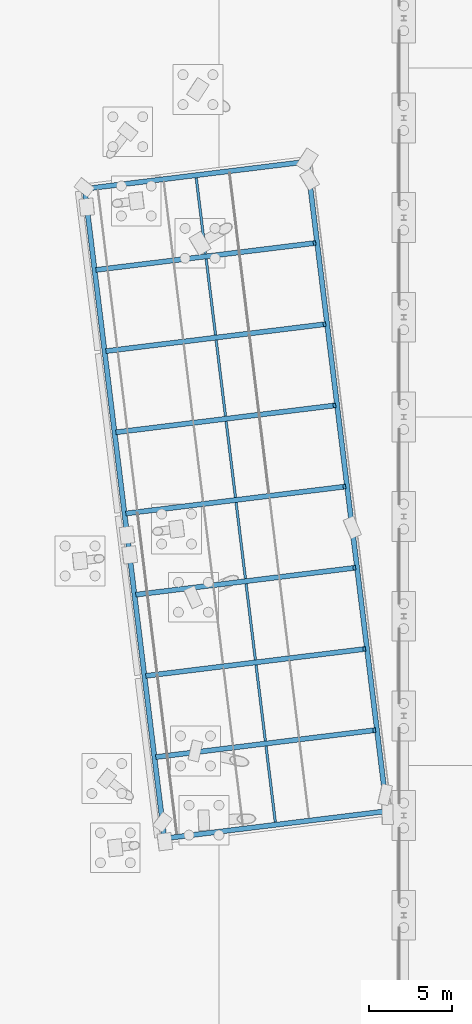
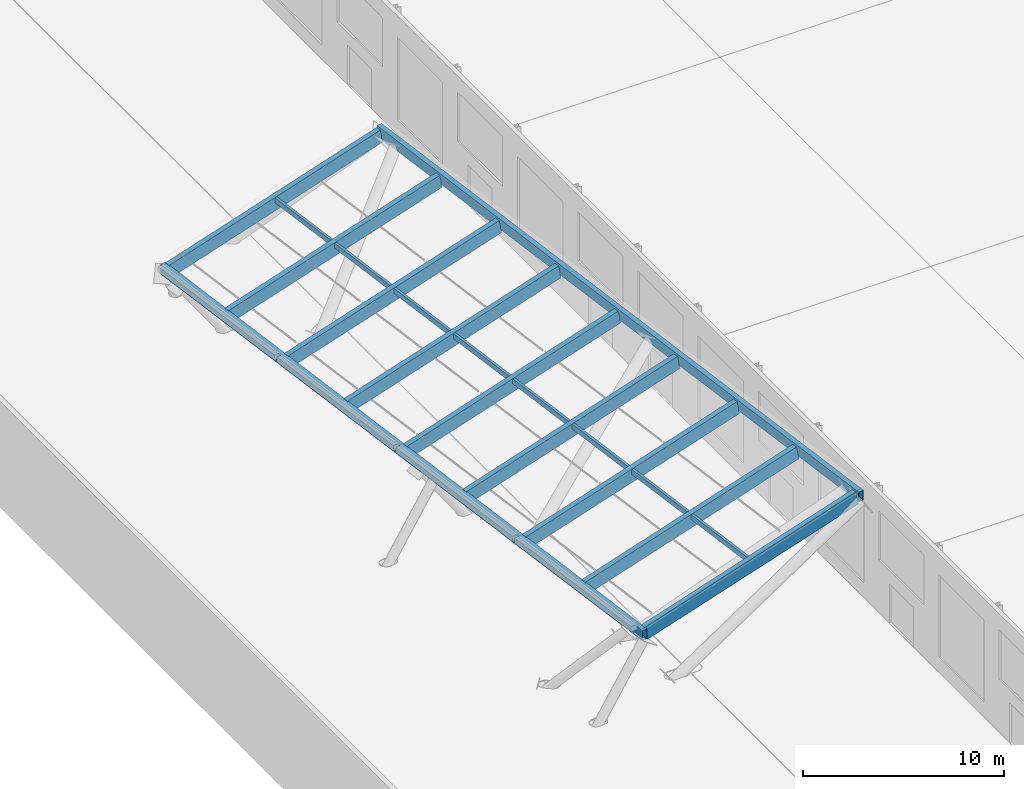
# One storey, part 126 of 239: 19 beams.
"""IFC4 building model written with IfcOpenShell, lengths in metres."""

from ifc_helpers import new_model, si_unit, direction, frame, origin, origin_2d, place, context, subcontext, project, spatial, hollow_rectangle, extrude, material, material_profile, profile_set, type_object, element, save


model = new_model("IFC4")

# Units and contexts
model_context = context("Model", 3, precision=1e-05, world=origin(), true_north=direction((0.0, 1.0)))
body_context = subcontext(model_context, "Body", "Model", "MODEL_VIEW")
ifc_project = project(units=[si_unit("LENGTHUNIT", "METRE"), si_unit("AREAUNIT", "SQUARE_METRE"), si_unit("VOLUMEUNIT", "CUBIC_METRE"), si_unit("PLANEANGLEUNIT", "RADIAN"), si_unit("MASSUNIT", "GRAM", prefix="KILO")], contexts=[model_context])

# Site, building, storey
site_placement = place(None, origin())
site = spatial("IfcSite", under=ifc_project, at=site_placement, CompositionType="ELEMENT")
building_placement = place(site_placement, origin())
building = spatial("IfcBuilding", under=site, at=building_placement, Name="Okhra Congress Centre", CompositionType="ELEMENT")
storey_placement = place(building_placement, origin())
storey = spatial("IfcBuildingStorey", under=building, at=storey_placement, Name="L00", CompositionType="ELEMENT", Elevation=0.0)

# Beams
ifc_material = material(Name="Steel S355J2H", Category="steel")
ifc_material_profile_1 = material_profile(ifc_material, hollow_rectangle(XDim=0.300048828125, YDim=0.60009765625, WallThickness=0.01611328125, at=origin_2d()), Name="RHS 600x300x16")
ifc_profile_set_1 = profile_set([ifc_material_profile_1], Name="Steel S355J2H")
beam_type_1 = type_object("IfcBeamType", Name="Canopy edge beam RHS 600x300x16", PredefinedType="BEAM", material=ifc_profile_set_1)
beam_1_placement = place(storey_placement, frame((14.746337890625, 148.3740234375, 4.070068359375), z_axis=(-0.121868564636, 0.992546247262, 0.0), x_axis=(-0.992546247262, -0.121868564636, 0.0)))
element("IfcBeam", 1, at=beam_1_placement, inside=storey, type_object=beam_type_1, Name="West visor edge beam S", PredefinedType="BEAM", context=body_context, shape_type="SweptSolid", body=[
    extrude(hollow_rectangle(XDim=0.300048828125, YDim=0.60009765625, WallThickness=0.01611328125, at=origin_2d()), origin(), (0.0, 0.0, 1.0), 39.89990234375),
])
beam_2_placement = place(storey_placement, frame((28.145751953125, 150.01904296875, 6.816650390625), z_axis=(-0.121867824507, 0.992546338137, 0.0), x_axis=(-0.992546338137, -0.121867824507, 0.0)))
element("IfcBeam", 2, at=beam_2_placement, inside=storey, type_object=beam_type_1, Name="West visor edge beam N", PredefinedType="BEAM", context=body_context, shape_type="SweptSolid", body=[
    extrude(hollow_rectangle(XDim=0.300048828125, YDim=0.60009765625, WallThickness=0.01611328125, at=origin_2d()), origin(), (0.0, 0.0, 1.0), 39.900146484375),
])
ifc_material_profile_2 = material_profile(ifc_material, hollow_rectangle(XDim=0.300048828125, YDim=0.800048828125, WallThickness=0.02001953125, at=origin_2d()), Name="RHS 800x300x20")
ifc_profile_set_2 = profile_set([ifc_material_profile_2], Name="Steel S355J2H")
beam_type_2 = type_object("IfcBeamType", Name="Canopy primary beam RHS 800x300x20", PredefinedType="BEAM", material=ifc_profile_set_2)
for number, where, z_axis, x_axis, name in (
    (3, (14.874755859375, 148.6416015625, 4.02490234375), (0.972622439007, 0.119420021765, 0.199360100174), (-0.1218663301, 0.992546521624, 0.0), "West visor primary beam 1"),
    (4, (14.2744140625, 153.52978515625, 4.02490234375), (0.972622439007, 0.119420021765, 0.199360100174), (-0.1218663301, 0.992546521624, 0.0), "West visor primary beam 2"),
    (5, (13.67431640625, 158.418212890625, 4.02490234375), (0.972622439007, 0.119420021765, 0.199360100174), (-0.1218663301, 0.992546521624, 0.0), "West visor primary beam 3"),
):
    element("IfcBeam", number, at=place(storey_placement, frame(where, z_axis=z_axis, x_axis=x_axis)), inside=storey, type_object=beam_type_2, Name=name, PredefinedType="BEAM", context=body_context, shape_type="SweptSolid", body=[
        extrude(hollow_rectangle(XDim=0.300048828125, YDim=0.800048828125, WallThickness=0.02001953125, at=origin_2d()), origin(), (0.0, 0.0, 1.0), 13.449951171875),
    ])
beam_3_placement = place(storey_placement, frame((13.07421875, 163.306396484375, 4.02490234375), z_axis=(0.972621458688, 0.119422130132, 0.199363619887), x_axis=(-0.121868570711, 0.992546246516, 0.0)))
element("IfcBeam", 6, at=beam_3_placement, inside=storey, type_object=beam_type_2, Name="West visor primary beam 4", PredefinedType="BEAM", context=body_context, shape_type="SweptSolid", body=[
    extrude(hollow_rectangle(XDim=0.300048828125, YDim=0.800048828125, WallThickness=0.02001953125, at=origin_2d()), origin(), (0.0, 0.0, 1.0), 13.44970703125),
])
for number, where, z_axis, x_axis, name in (
    (7, (12.473876953125, 168.19482421875, 4.02490234375), (0.972622439007, 0.119420021765, 0.199360100174), (-0.1218663301, 0.992546521624, 0.0), "West visor primary beam 5"),
    (8, (11.873779296875, 173.0830078125, 4.02490234375), (0.972622439007, 0.119420021765, 0.199360100174), (-0.1218663301, 0.992546521624, 0.0), "West visor primary beam 6"),
    (9, (11.2734375, 177.97119140625, 4.02490234375), (0.972620330523, 0.119437914541, 0.199359667994), (-0.121884578472, 0.992544280892, 0.0), "West visor primary beam 7"),
    (10, (10.67333984375, 182.859619140625, 4.02490234375), (0.972622439007, 0.119420021765, 0.199360100174), (-0.1218663301, 0.992546521624, 0.0), "West visor primary beam 8"),
    (11, (10.072998046875, 187.747802734375, 4.02490234375), (0.972622439007, 0.119420021765, 0.199360100174), (-0.1218663301, 0.992546521624, 0.0), "West visor primary beam 9"),
):
    element("IfcBeam", number, at=place(storey_placement, frame(where, z_axis=z_axis, x_axis=x_axis)), inside=storey, type_object=beam_type_2, Name=name, PredefinedType="BEAM", context=body_context, shape_type="SweptSolid", body=[
        extrude(hollow_rectangle(XDim=0.300048828125, YDim=0.800048828125, WallThickness=0.02001953125, at=origin_2d()), origin(), (0.0, 0.0, 1.0), 13.449951171875),
    ])
ifc_material_profile_3 = material_profile(ifc_material, hollow_rectangle(XDim=0.14990234375, YDim=0.300048828125, WallThickness=0.008056640625, at=origin_2d()), Name="RHS 300x150x8")
ifc_profile_set_3 = profile_set([ifc_material_profile_3], Name="Steel S355J2H")
beam_type_3 = type_object("IfcBeamType", Name="Canopy secondary beam RHS 300x150x8", PredefinedType="BEAM", material=ifc_profile_set_3)
beam_4_placement = place(storey_placement, frame((21.39599609375, 149.603515625, 5.608642578125), z_axis=(-0.121835405744, 0.992550318073, 0.0), x_axis=(-0.992550318073, -0.121835405744, 0.0)))
element("IfcBeam", 12, at=beam_4_placement, inside=storey, type_object=beam_type_3, Name="West visor secondary beam 1", PredefinedType="BEAM", context=body_context, shape_type="SweptSolid", body=[
    extrude(hollow_rectangle(XDim=0.14990234375, YDim=0.300048828125, WallThickness=0.008056640625, at=origin_2d()), origin(), (0.0, 0.0, 1.0), 4.60498046875),
])
beam_5_placement = place(storey_placement, frame((20.7958984375, 154.49169921875, 5.608642578125), z_axis=(-0.121881222582, 0.99254469299, 0.0), x_axis=(-0.99254469299, -0.121881222582, 0.0)))
element("IfcBeam", 13, at=beam_5_placement, inside=storey, type_object=beam_type_3, Name="West visor secondary beam 2", PredefinedType="BEAM", context=body_context, shape_type="SweptSolid", body=[
    extrude(hollow_rectangle(XDim=0.14990234375, YDim=0.300048828125, WallThickness=0.008056640625, at=origin_2d()), origin(), (0.0, 0.0, 1.0), 4.605224609375),
])
beam_6_placement = place(storey_placement, frame((20.19580078125, 159.380126953125, 5.608642578125), z_axis=(-0.121887636264, 0.99254390539, 0.0), x_axis=(-0.99254390539, -0.121887636264, 0.0)))
element("IfcBeam", 14, at=beam_6_placement, inside=storey, type_object=beam_type_3, Name="West visor secondary beam 3", PredefinedType="BEAM", context=body_context, shape_type="SweptSolid", body=[
    extrude(hollow_rectangle(XDim=0.14990234375, YDim=0.300048828125, WallThickness=0.008056640625, at=origin_2d()), origin(), (0.0, 0.0, 1.0), 4.60498046875),
])
beam_7_placement = place(storey_placement, frame((19.595458984375, 164.268310546875, 5.608642578125), z_axis=(-0.121881222582, 0.99254469299, 0.0), x_axis=(-0.99254469299, -0.121881222582, 0.0)))
element("IfcBeam", 15, at=beam_7_placement, inside=storey, type_object=beam_type_3, Name="West visor secondary beam 4", PredefinedType="BEAM", context=body_context, shape_type="SweptSolid", body=[
    extrude(hollow_rectangle(XDim=0.14990234375, YDim=0.300048828125, WallThickness=0.008056640625, at=origin_2d()), origin(), (0.0, 0.0, 1.0), 4.605224609375),
])
beam_8_placement = place(storey_placement, frame((18.995361328125, 169.15673828125, 5.608642578125), z_axis=(-0.121887636264, 0.99254390539, 0.0), x_axis=(-0.99254390539, -0.121887636264, 0.0)))
element("IfcBeam", 16, at=beam_8_placement, inside=storey, type_object=beam_type_3, Name="West visor secondary beam 5", PredefinedType="BEAM", context=body_context, shape_type="SweptSolid", body=[
    extrude(hollow_rectangle(XDim=0.14990234375, YDim=0.300048828125, WallThickness=0.008056640625, at=origin_2d()), origin(), (0.0, 0.0, 1.0), 4.60498046875),
])
for number, where, z_axis, x_axis, name in (
    (17, (18.39501953125, 174.044921875, 5.608642578125), (-0.121828994728, 0.992551105003, 0.0), (-0.992551105003, -0.121828994728, 0.0), "West visor secondary beam 6"),
    (18, (17.794921875, 178.93310546875, 5.608642578125), (-0.121881222582, 0.99254469299, 0.0), (-0.99254469299, -0.121881222582, 0.0), "West visor secondary beam 7"),
):
    element("IfcBeam", number, at=place(storey_placement, frame(where, z_axis=z_axis, x_axis=x_axis)), inside=storey, type_object=beam_type_3, Name=name, PredefinedType="BEAM", context=body_context, shape_type="SweptSolid", body=[
        extrude(hollow_rectangle(XDim=0.14990234375, YDim=0.300048828125, WallThickness=0.008056640625, at=origin_2d()), origin(), (0.0, 0.0, 1.0), 4.605224609375),
    ])
beam_9_placement = place(storey_placement, frame((17.194580078125, 183.821533203125, 5.608642578125), z_axis=(-0.121835405744, 0.992550318073, 0.0), x_axis=(-0.992550318073, -0.121835405744, 0.0)))
element("IfcBeam", 19, at=beam_9_placement, inside=storey, type_object=beam_type_3, Name="West visor secondary beam 8", PredefinedType="BEAM", context=body_context, shape_type="SweptSolid", body=[
    extrude(hollow_rectangle(XDim=0.14990234375, YDim=0.300048828125, WallThickness=0.008056640625, at=origin_2d()), origin(), (0.0, 0.0, 1.0), 4.60498046875),
])

save(model, "model.ifc")
